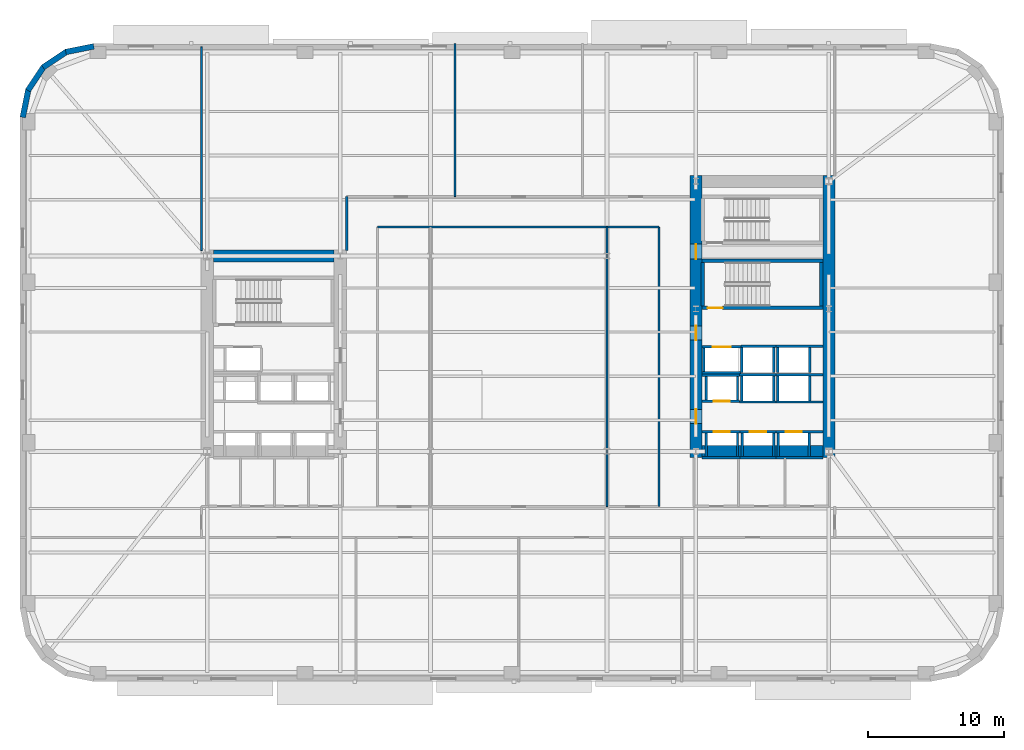
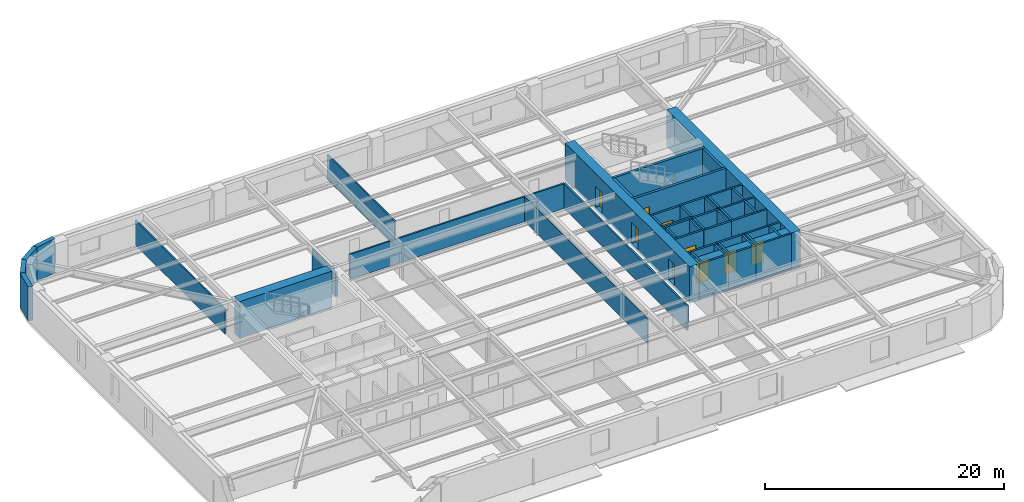
# One storey, part 6 of 15: 51 walls, 9 doors, 9 openings.
"""IFC4 building model written with IfcOpenShell, lengths in metres."""

from ifc_helpers import new_model, si_unit, direction, frame, frame_2d, origin, place, context, subcontext, project, spatial, rectangle, extrude, material, layer, layer_set, type_object, element, fill, save


model = new_model("IFC4")

# Units and contexts
model_context = context("Model", 3, precision=1e-05, world=origin(), true_north=direction((0.0, 1.0)))
body_context = subcontext(model_context, "Body", "Model", "MODEL_VIEW")
ifc_project = project(units=[si_unit("LENGTHUNIT", "METRE"), si_unit("AREAUNIT", "SQUARE_METRE"), si_unit("VOLUMEUNIT", "CUBIC_METRE"), si_unit("PLANEANGLEUNIT", "RADIAN"), si_unit("MASSUNIT", "GRAM", prefix="KILO")], contexts=[model_context])

# Site, building, storey
site_placement = place(None, origin())
site = spatial("IfcSite", under=ifc_project, at=site_placement, CompositionType="ELEMENT")
building_placement = place(site_placement, origin())
building = spatial("IfcBuilding", under=site, at=building_placement, Name="Kolvaren Arena Tower", CompositionType="ELEMENT")
storey_placement = place(building_placement, frame((0.0, 0.0, 64.5)))
storey = spatial("IfcBuildingStorey", under=building, at=storey_placement, Name="L13", CompositionType="ELEMENT", Elevation=64.5)

# Walls
ifc_material_1 = material(Name="Gypsum board acoustic assembly", Category="gypsum")
ifc_layer_1 = layer(ifc_material_1, 0.159912109375)
ifc_layer_set_1 = layer_set([ifc_layer_1], Name="Gypsum board acoustic assembly")
wall_type_1 = type_object("IfcWallType", Name="CORR-160", PredefinedType="PARTITIONING", material=ifc_layer_set_1)
wall_1_placement = place(storey_placement, frame((24.820068359375, 34.25, 0.0), z_axis=(0.0, 0.0, 1.0), x_axis=(0.0, 1.0, 0.0)))
element("IfcWall", 1, at=wall_1_placement, inside=storey, type_object=wall_type_1, Name="Interior Partition Wall (L13)", PredefinedType="PARTITIONING", context=body_context, shape_type="SweptSolid", body=[
    extrude(rectangle(XDim=3.969970703125, YDim=0.159912109375, at=frame_2d((1.98486328125, 0.0))), origin(), (0.0, 0.0, 1.0), 2.5400390625),
])
wall_2_placement = place(storey_placement, frame((27.080078125, 35.97998046875, 0.0), z_axis=(0.0, 0.0, 1.0), x_axis=(1.0, 0.0, 0.0)))
element("IfcWall", 2, at=wall_2_placement, inside=storey, type_object=wall_type_1, Name="Interior Partition Wall (L13)", PredefinedType="PARTITIONING", context=body_context, shape_type="SweptSolid", body=[
    extrude(rectangle(XDim=20.739990234375, YDim=0.159912109375, at=frame_2d((10.3701171875, 0.0))), origin(), (0.0, 0.0, 1.0), 2.5400390625),
])
wall_3_placement = place(storey_placement, frame((47.820068359375, 15.3798828125, 0.0), z_axis=(0.0, 0.0, 1.0), x_axis=(0.0, 1.0, 0.0)))
element("IfcWall", 3, at=wall_3_placement, inside=storey, type_object=wall_type_1, Name="Interior Partition Wall (L13)", PredefinedType="PARTITIONING", context=body_context, shape_type="SweptSolid", body=[
    extrude(rectangle(XDim=20.60009765625, YDim=0.159912109375, at=frame_2d((10.300048828125, 0.0))), origin(), (0.0, 0.0, 1.0), 2.5400390625),
])
ifc_material_2 = material(Name="Concrete 80 MPa", Category="concrete")
ifc_layer_2 = layer(ifc_material_2, 0.89990234375)
ifc_layer_set_2 = layer_set([ifc_layer_2], Name="Concrete 80 MPa")
wall_type_2 = type_object("IfcWallType", Name="CWALL-900", PredefinedType="SHEAR", material=ifc_layer_set_2)
wall_4_placement = place(storey_placement, frame((15.0, 33.85009765625, -0.27001953125), z_axis=(0.0, 0.0, 1.0), x_axis=(1.0, 0.0, 0.0)))
element("IfcWall", 4, at=wall_4_placement, inside=storey, type_object=wall_type_2, Name="Core Shear Wall WC-NORTH (L13)", PredefinedType="SHEAR", context=body_context, shape_type="SweptSolid", body=[
    extrude(rectangle(XDim=8.89990234375, YDim=0.89990234375, at=frame_2d((4.449951171875, 0.0))), origin(), (0.0, 0.0, 1.0), 3.75),
])

# Wall, openings, doors
wall_5_placement = place(storey_placement, frame((50.550048828125, 19.0, -0.27001953125), z_axis=(0.0, 0.0, 1.0), x_axis=(0.0, 1.0, 0.0)))
wall_5 = element("IfcWall", 5, at=wall_5_placement, inside=storey, type_object=wall_type_2, Name="Core Shear Wall EC-WEST (L13)", PredefinedType="SHEAR", context=body_context, shape_type="SweptSolid", body=[
    extrude(rectangle(XDim=20.800048828125, YDim=0.89990234375, at=frame_2d((10.39990234375, 0.0))), origin(), (0.0, 0.0, 1.0), 3.75),
])
opening_1_placement = place(wall_5_placement, frame((2.5, 0.0, 0.27001953125)))
opening_1 = element("IfcOpeningElement", 6, at=opening_1_placement, cuts=wall_5, Name="Opening D04", PredefinedType="OPENING", context=body_context, shape_type="SweptSolid", body=[
    extrude(rectangle(XDim=1.050048828125, YDim=2.14990234375, at=frame_2d((0.52490234375, 1.074951171875))), frame((0.0, 0.4599609375, 0.0), z_axis=(0.0, -1.0, 0.0), x_axis=(1.0, 0.0, 0.0)), (0.0, 0.0, 1.0), 0.919921875),
])
opening_2_placement = place(wall_5_placement, frame((8.64990234375, 0.0, 0.27001953125)))
opening_2 = element("IfcOpeningElement", 7, at=opening_2_placement, cuts=wall_5, Name="Opening D04", PredefinedType="OPENING", context=body_context, shape_type="SweptSolid", body=[
    extrude(rectangle(XDim=1.050048828125, YDim=2.14990234375, at=frame_2d((0.52490234375, 1.074951171875))), frame((0.0, 0.4599609375, 0.0), z_axis=(0.0, -1.0, 0.0), x_axis=(1.0, 0.0, 0.0)), (0.0, 0.0, 1.0), 0.919921875),
])
opening_3_placement = place(wall_5_placement, frame((14.6201171875, 0.0, 0.27001953125)))
opening_3 = element("IfcOpeningElement", 8, at=opening_3_placement, cuts=wall_5, Name="Opening D03", PredefinedType="OPENING", context=body_context, shape_type="SweptSolid", body=[
    extrude(rectangle(XDim=1.10009765625, YDim=2.14990234375, at=frame_2d((0.550048828125, 1.074951171875))), frame((0.0, 0.4599609375, 0.0), z_axis=(0.0, -1.0, 0.0), x_axis=(1.0, 0.0, 0.0)), (0.0, 0.0, 1.0), 0.919921875),
])
ifc_material_3 = material(Name="Fire-rated steel lobby door", Category="steel")
door_type_1 = type_object("IfcDoorType", Name="DOOR-FF-105", OperationType="NOTDEFINED", PredefinedType="DOOR", material=ifc_material_3)
door_1_placement = place(opening_1_placement, origin())
door_1 = element("IfcDoor", 9, at=door_1_placement, inside=storey, type_object=door_type_1, Name="East Lift Lobby Fire Door (L13)", OperationType="SINGLE_SWING_RIGHT", OverallHeight=2.14990234375, OverallWidth=1.050048828125, PredefinedType="DOOR", context=body_context, shape_type="SweptSolid", body=[
    extrude(rectangle(XDim=1.050048828125, YDim=2.14990234375, at=frame_2d((0.52490234375, 1.074951171875))), frame((0.0, 0.02490234375, 0.0), z_axis=(0.0, -1.0, 0.0), x_axis=(1.0, 0.0, 0.0)), (0.0, 0.0, 1.0), 0.050048828125),
])
fill(opening_1, door_1)
door_2_placement = place(opening_2_placement, origin())
door_2 = element("IfcDoor", 10, at=door_2_placement, inside=storey, type_object=door_type_1, Name="East Firefighter Vestibule Door (L13)", OperationType="SINGLE_SWING_LEFT", OverallHeight=2.14990234375, OverallWidth=1.050048828125, PredefinedType="DOOR", context=body_context, shape_type="SweptSolid", body=[
    extrude(rectangle(XDim=1.050048828125, YDim=2.14990234375, at=frame_2d((0.52490234375, 1.074951171875))), frame((0.0, 0.02490234375, 0.0), z_axis=(0.0, -1.0, 0.0), x_axis=(1.0, 0.0, 0.0)), (0.0, 0.0, 1.0), 0.050048828125),
])
fill(opening_2, door_2)
ifc_material_4 = material(Name="Fire-rated steel exit stair door", Category="steel")
door_type_2 = type_object("IfcDoorType", Name="DOOR-ST-110", OperationType="NOTDEFINED", PredefinedType="DOOR", material=ifc_material_4)
door_3_placement = place(opening_3_placement, origin())
door_3 = element("IfcDoor", 11, at=door_3_placement, inside=storey, type_object=door_type_2, Name="Stair ST-E2 Vestibule Fire Door (L13)", OperationType="SINGLE_SWING_LEFT", OverallHeight=2.14990234375, OverallWidth=1.10009765625, PredefinedType="DOOR", context=body_context, shape_type="SweptSolid", body=[
    extrude(rectangle(XDim=1.10009765625, YDim=2.14990234375, at=frame_2d((0.550048828125, 1.074951171875))), frame((0.0, 0.02490234375, 0.0), z_axis=(0.0, -1.0, 0.0), x_axis=(1.0, 0.0, 0.0)), (0.0, 0.0, 1.0), 0.050048828125),
])
fill(opening_3, door_3)

# Walls
wall_6_placement = place(storey_placement, frame((60.35009765625, 19.0, -0.27001953125), z_axis=(0.0, 0.0, 1.0), x_axis=(0.0, 1.0, 0.0)))
element("IfcWall", 12, at=wall_6_placement, inside=storey, type_object=wall_type_2, Name="Core Shear Wall EC-EAST (L13)", PredefinedType="SHEAR", context=body_context, shape_type="SweptSolid", body=[
    extrude(rectangle(XDim=20.800048828125, YDim=0.89990234375, at=frame_2d((10.39990234375, 0.0))), origin(), (0.0, 0.0, 1.0), 3.75),
])
wall_7_placement = place(storey_placement, frame((51.0, 19.449951171875, -0.27001953125), z_axis=(0.0, 0.0, 1.0), x_axis=(1.0, 0.0, 0.0)))
element("IfcWall", 13, at=wall_7_placement, inside=storey, type_object=wall_type_2, Name="Core Shear Wall EC-SOUTH (L13)", PredefinedType="SHEAR", context=body_context, shape_type="SweptSolid", body=[
    extrude(rectangle(XDim=8.89990234375, YDim=0.89990234375, at=frame_2d((4.449951171875, 0.0))), origin(), (0.0, 0.0, 1.0), 3.75),
])
ifc_material_5 = material(Name="Precast concrete C50/60", Category="concrete")
ifc_layer_3 = layer(ifc_material_5, 0.419921875)
ifc_layer_set_3 = layer_set([ifc_layer_3], Name="Precast concrete C50/60")
wall_type_3 = type_object("IfcWallType", Name="EXT-PIER1", PredefinedType="SOLIDWALL", material=ifc_layer_set_3)
for number, where, z_axis, x_axis, name in (
    (14, (4.12451171875, 48.8828125, 0.0), (0.0, 0.0, 1.0), (0.9807762837, 0.195135546048, 0.0), "Exterior Precast Masonry-Frame Wall (L13)"),
    (15, (2.4482421875, 47.743896484375, 0.0), (0.0, 0.0, 1.0), (0.831515102434, 0.555502146192, 0.0), "Exterior Precast Masonry-Frame Wall (L13)"),
    (16, (1.335693359375, 46.0498046875, 0.0), (0.0, 0.0, 1.0), (0.555502146192, 0.831515102434, 0.0), "Exterior Precast Masonry-Frame Wall (L13)"),
    (17, (0.9560546875, 44.05908203125, 0.0), (0.0, 0.0, 1.0), (0.195135546048, 0.9807762837, 0.0), "Exterior Precast Masonry-Frame Wall (L13)"),
):
    element("IfcWall", number, at=place(storey_placement, frame(where, z_axis=z_axis, x_axis=x_axis)), inside=storey, type_object=wall_type_3, Name=name, PredefinedType="SOLIDWALL", context=body_context, shape_type="SweptSolid", body=[
        extrude(rectangle(XDim=2.10693359375, YDim=0.419921875, at=frame_2d((1.053466796875, 0.0))), origin(), (0.0, 0.0, 1.0), 3.47998046875),
    ])
ifc_material_6 = material(Name="Gypsum board partition assembly", Category="gypsum")
ifc_layer_4 = layer(ifc_material_6, 0.114990234375)
ifc_layer_set_4 = layer_set([ifc_layer_4], Name="Gypsum board partition assembly")
wall_type_4 = type_object("IfcWallType", Name="PART-115", PredefinedType="PARTITIONING", material=ifc_layer_set_4)
wall_8_placement = place(storey_placement, frame((44.0, 15.3798828125, 0.0), z_axis=(0.0, 0.0, 1.0), x_axis=(0.0, 1.0, 0.0)))
element("IfcWall", 18, at=wall_8_placement, inside=storey, type_object=wall_type_4, Name="Interior Partition Wall (L13)", PredefinedType="PARTITIONING", context=body_context, shape_type="SweptSolid", body=[
    extrude(rectangle(XDim=20.60009765625, YDim=0.114990234375, at=frame_2d((10.300048828125, 0.0))), origin(), (0.0, 0.0, 1.0), 2.5400390625),
])
ifc_layer_5 = layer(ifc_material_6, 0.135009765625)
ifc_layer_set_5 = layer_set([ifc_layer_5], Name="Gypsum board partition assembly")
wall_type_5 = type_object("IfcWallType", Name="PART-135", PredefinedType="PARTITIONING", material=ifc_layer_set_5)
wall_9_placement = place(storey_placement, frame((32.800048828125, 38.219970703125, 0.0), z_axis=(0.0, 0.0, 1.0), x_axis=(0.0, 1.0, 0.0)))
element("IfcWall", 19, at=wall_9_placement, inside=storey, type_object=wall_type_5, Name="Interior Partition Wall (L13)", PredefinedType="PARTITIONING", context=body_context, shape_type="SweptSolid", body=[
    extrude(rectangle(XDim=11.280029296875, YDim=0.135009765625, at=frame_2d((5.64013671875, 0.0))), origin(), (0.0, 0.0, 1.0), 2.5400390625),
])
wall_10_placement = place(storey_placement, frame((14.1201171875, 34.25, 0.0), z_axis=(0.0, 0.0, 1.0), x_axis=(0.0, 1.0, 0.0)))
element("IfcWall", 20, at=wall_10_placement, inside=storey, type_object=wall_type_5, Name="Interior Partition Wall (L13)", PredefinedType="PARTITIONING", context=body_context, shape_type="SweptSolid", body=[
    extrude(rectangle(XDim=15.010009765625, YDim=0.135009765625, at=frame_2d((7.5048828125, 0.0))), origin(), (0.0, 0.0, 1.0), 2.5400390625),
])

# Wall, opening, door
ifc_material_7 = material(Name="Concrete 45 MPa", Category="concrete")
ifc_layer_6 = layer(ifc_material_7, 0.25)
ifc_layer_set_6 = layer_set([ifc_layer_6], Name="Concrete 45 MPa")
wall_type_6 = type_object("IfcWallType", Name="SHAFT-250", PredefinedType="SOLIDWALL", material=ifc_layer_set_6)
wall_11_placement = place(storey_placement, frame((59.89990234375, 30.030029296875, 0.0), z_axis=(0.0, 0.0, 1.0), x_axis=(-1.0, 0.0, 0.0)))
wall_11 = element("IfcWall", 21, at=wall_11_placement, inside=storey, type_object=wall_type_6, Name="Core Shaft Wall (L13)", PredefinedType="SOLIDWALL", context=body_context, shape_type="SweptSolid", body=[
    extrude(rectangle(XDim=8.89990234375, YDim=0.239990234375, at=frame_2d((4.449951171875, 0.0))), origin(), (0.0, 0.0, 1.0), 3.47998046875),
])
opening_4_placement = place(wall_11_placement, frame((7.3798828125, 0.0, 0.0)))
opening_4 = element("IfcOpeningElement", 22, at=opening_4_placement, cuts=wall_11, Name="Opening D03", PredefinedType="OPENING", context=body_context, shape_type="SweptSolid", body=[
    extrude(rectangle(XDim=1.10009765625, YDim=2.14990234375, at=frame_2d((0.550048828125, 1.074951171875))), frame((0.0, 0.1298828125, 0.0), z_axis=(0.0, -1.0, 0.0), x_axis=(1.0, 0.0, 0.0)), (0.0, 0.0, 1.0), 0.260009765625),
])
door_4_placement = place(opening_4_placement, origin())
door_4 = element("IfcDoor", 23, at=door_4_placement, inside=storey, type_object=door_type_2, Name="Stair ST-E1 Fire Door (L13)", OperationType="SINGLE_SWING_LEFT", OverallHeight=2.14990234375, OverallWidth=1.10009765625, PredefinedType="DOOR", context=body_context, shape_type="SweptSolid", body=[
    extrude(rectangle(XDim=1.10009765625, YDim=2.14990234375, at=frame_2d((0.550048828125, 1.074951171875))), frame((0.0, 0.02490234375, 0.0), z_axis=(0.0, -1.0, 0.0), x_axis=(1.0, 0.0, 0.0)), (0.0, 0.0, 1.0), 0.050048828125),
])
fill(opening_4, door_4)

# Walls
wall_12_placement = place(storey_placement, frame((51.0, 33.5, 0.0), z_axis=(0.0, 0.0, 1.0), x_axis=(1.0, 0.0, 0.0)))
element("IfcWall", 24, at=wall_12_placement, inside=storey, type_object=wall_type_6, Name="Core Shaft Wall (L13)", PredefinedType="SOLIDWALL", context=body_context, shape_type="SweptSolid", body=[
    extrude(rectangle(XDim=8.89990234375, YDim=0.239990234375, at=frame_2d((4.449951171875, 0.0))), origin(), (0.0, 0.0, 1.0), 3.47998046875),
])
for number, where, z_axis, x_axis, name in (
    (25, (51.06005859375, 30.14990234375, 0.0), (0.0, 0.0, 1.0), (0.0, 1.0, 0.0), "Core Shaft Wall (L13)"),
    (26, (59.780029296875, 30.14990234375, 0.0), (0.0, 0.0, 1.0), (0.0, 1.0, 0.0), "Core Shaft Wall (L13)"),
):
    element("IfcWall", number, at=place(storey_placement, frame(where, z_axis=z_axis, x_axis=x_axis)), inside=storey, type_object=wall_type_6, Name=name, PredefinedType="SOLIDWALL", context=body_context, shape_type="SweptSolid", body=[
        extrude(rectangle(XDim=3.22998046875, YDim=0.239990234375, at=frame_2d((1.614990234375, 0.0))), origin(), (0.0, 0.0, 1.0), 3.47998046875),
    ])

# Wall, opening, door
wall_13_placement = place(storey_placement, frame((51.0, 20.905029296875, 0.0), z_axis=(0.0, 0.0, 1.0), x_axis=(1.0, 0.0, 0.0)))
wall_13 = element("IfcWall", 27, at=wall_13_placement, inside=storey, type_object=wall_type_6, Name="Core Shaft Wall (L13)", PredefinedType="SOLIDWALL", context=body_context, shape_type="SweptSolid", body=[
    extrude(rectangle(XDim=2.7900390625, YDim=0.179931640625, at=frame_2d((1.39501953125, 0.0))), origin(), (0.0, 0.0, 1.0), 3.47998046875),
])
opening_5_placement = place(wall_13_placement, frame((0.860107421875, 0.0, 0.0)))
opening_5 = element("IfcOpeningElement", 28, at=opening_5_placement, cuts=wall_13, Name="Opening LD1", PredefinedType="OPENING", context=body_context, shape_type="SweptSolid", body=[
    extrude(rectangle(XDim=1.199951171875, YDim=2.199951171875, at=frame_2d((0.60009765625, 1.10009765625))), frame((0.0, 0.099853515625, 0.0), z_axis=(0.0, -1.0, 0.0), x_axis=(1.0, 0.0, 0.0)), (0.0, 0.0, 1.0), 0.199951171875),
])
ifc_material_8 = material(Name="Stainless steel passenger lift landing door", Category="steel")
door_type_3 = type_object("IfcDoorType", Name="DOOR-LD-120", OperationType="DOUBLE_DOOR_SLIDING", PredefinedType="DOOR", material=ifc_material_8)
door_5_placement = place(opening_5_placement, origin())
door_5 = element("IfcDoor", 29, at=door_5_placement, inside=storey, type_object=door_type_3, Name="Lift EL-LR1 Landing Door (L13)", OperationType="DOUBLE_DOOR_SLIDING", OverallHeight=2.199951171875, OverallWidth=1.199951171875, PredefinedType="DOOR", context=body_context, shape_type="SweptSolid", body=[
    extrude(rectangle(XDim=1.199951171875, YDim=2.199951171875, at=frame_2d((0.60009765625, 1.10009765625))), frame((0.0, 0.02490234375, 0.0), z_axis=(0.0, -1.0, 0.0), x_axis=(1.0, 0.0, 0.0)), (0.0, 0.0, 1.0), 0.050048828125),
])
fill(opening_5, door_5)

# Walls
wall_14_placement = place(storey_placement, frame((51.0, 18.9951171875, 0.0), z_axis=(0.0, 0.0, 1.0), x_axis=(1.0, 0.0, 0.0)))
element("IfcWall", 30, at=wall_14_placement, inside=storey, type_object=wall_type_6, Name="Core Shaft Wall (L13)", PredefinedType="SOLIDWALL", context=body_context, shape_type="SweptSolid", body=[
    extrude(rectangle(XDim=2.7900390625, YDim=0.179931640625, at=frame_2d((1.39501953125, 0.0))), origin(), (0.0, 0.0, 1.0), 3.47998046875),
])
for number, where, z_axis, x_axis, name in (
    (31, (51.304931640625, 19.0849609375, 0.0), (0.0, 0.0, 1.0), (0.0, 1.0, 0.0), "Core Shaft Wall (L13)"),
    (32, (53.614990234375, 19.0849609375, 0.0), (0.0, 0.0, 1.0), (0.0, 1.0, 0.0), "Core Shaft Wall (L13)"),
):
    element("IfcWall", number, at=place(storey_placement, frame(where, z_axis=z_axis, x_axis=x_axis)), inside=storey, type_object=wall_type_6, Name=name, PredefinedType="SOLIDWALL", context=body_context, shape_type="SweptSolid", body=[
        extrude(rectangle(XDim=1.72998046875, YDim=0.179931640625, at=frame_2d((0.864990234375, 0.0))), origin(), (0.0, 0.0, 1.0), 3.47998046875),
    ])

# Wall, opening, door
wall_15_placement = place(storey_placement, frame((53.7900390625, 20.905029296875, 0.0), z_axis=(0.0, 0.0, 1.0), x_axis=(1.0, 0.0, 0.0)))
wall_15 = element("IfcWall", 33, at=wall_15_placement, inside=storey, type_object=wall_type_6, Name="Core Shaft Wall (L13)", PredefinedType="SOLIDWALL", context=body_context, shape_type="SweptSolid", body=[
    extrude(rectangle(XDim=2.64990234375, YDim=0.179931640625, at=frame_2d((1.324951171875, 0.0))), origin(), (0.0, 0.0, 1.0), 3.47998046875),
])
opening_6_placement = place(wall_15_placement, frame((0.72998046875, 0.0, 0.0)))
opening_6 = element("IfcOpeningElement", 34, at=opening_6_placement, cuts=wall_15, Name="Opening LD1", PredefinedType="OPENING", context=body_context, shape_type="SweptSolid", body=[
    extrude(rectangle(XDim=1.199951171875, YDim=2.199951171875, at=frame_2d((0.60009765625, 1.10009765625))), frame((0.0, 0.099853515625, 0.0), z_axis=(0.0, -1.0, 0.0), x_axis=(1.0, 0.0, 0.0)), (0.0, 0.0, 1.0), 0.199951171875),
])
door_6_placement = place(opening_6_placement, origin())
door_6 = element("IfcDoor", 35, at=door_6_placement, inside=storey, type_object=door_type_3, Name="Lift EL-LR2 Landing Door (L13)", OperationType="DOUBLE_DOOR_SLIDING", OverallHeight=2.199951171875, OverallWidth=1.199951171875, PredefinedType="DOOR", context=body_context, shape_type="SweptSolid", body=[
    extrude(rectangle(XDim=1.199951171875, YDim=2.199951171875, at=frame_2d((0.60009765625, 1.10009765625))), frame((0.0, 0.02490234375, 0.0), z_axis=(0.0, -1.0, 0.0), x_axis=(1.0, 0.0, 0.0)), (0.0, 0.0, 1.0), 0.050048828125),
])
fill(opening_6, door_6)

# Walls
wall_16_placement = place(storey_placement, frame((53.7900390625, 18.9951171875, 0.0), z_axis=(0.0, 0.0, 1.0), x_axis=(1.0, 0.0, 0.0)))
element("IfcWall", 36, at=wall_16_placement, inside=storey, type_object=wall_type_6, Name="Core Shaft Wall (L13)", PredefinedType="SOLIDWALL", context=body_context, shape_type="SweptSolid", body=[
    extrude(rectangle(XDim=2.64990234375, YDim=0.179931640625, at=frame_2d((1.324951171875, 0.0))), origin(), (0.0, 0.0, 1.0), 3.47998046875),
])
for number, where, z_axis, x_axis, name in (
    (37, (53.965087890625, 19.0849609375, 0.0), (0.0, 0.0, 1.0), (0.0, 1.0, 0.0), "Core Shaft Wall (L13)"),
    (38, (56.27490234375, 19.0849609375, 0.0), (0.0, 0.0, 1.0), (0.0, 1.0, 0.0), "Core Shaft Wall (L13)"),
):
    element("IfcWall", number, at=place(storey_placement, frame(where, z_axis=z_axis, x_axis=x_axis)), inside=storey, type_object=wall_type_6, Name=name, PredefinedType="SOLIDWALL", context=body_context, shape_type="SweptSolid", body=[
        extrude(rectangle(XDim=1.72998046875, YDim=0.179931640625, at=frame_2d((0.864990234375, 0.0))), origin(), (0.0, 0.0, 1.0), 3.47998046875),
    ])

# Wall, opening, door
wall_17_placement = place(storey_placement, frame((56.43994140625, 20.905029296875, 0.0), z_axis=(0.0, 0.0, 1.0), x_axis=(1.0, 0.0, 0.0)))
wall_17 = element("IfcWall", 39, at=wall_17_placement, inside=storey, type_object=wall_type_6, Name="Core Shaft Wall (L13)", PredefinedType="SOLIDWALL", context=body_context, shape_type="SweptSolid", body=[
    extrude(rectangle(XDim=3.4599609375, YDim=0.179931640625, at=frame_2d((1.72998046875, 0.0))), origin(), (0.0, 0.0, 1.0), 3.47998046875),
])
opening_7_placement = place(wall_17_placement, frame((0.719970703125, 0.0, 0.0)))
opening_7 = element("IfcOpeningElement", 40, at=opening_7_placement, cuts=wall_17, Name="Opening LD1", PredefinedType="OPENING", context=body_context, shape_type="SweptSolid", body=[
    extrude(rectangle(XDim=1.199951171875, YDim=2.199951171875, at=frame_2d((0.60009765625, 1.10009765625))), frame((0.0, 0.099853515625, 0.0), z_axis=(0.0, -1.0, 0.0), x_axis=(1.0, 0.0, 0.0)), (0.0, 0.0, 1.0), 0.199951171875),
])
door_7_placement = place(opening_7_placement, origin())
door_7 = element("IfcDoor", 41, at=door_7_placement, inside=storey, type_object=door_type_3, Name="Lift EL-LR3 Landing Door (L13)", OperationType="DOUBLE_DOOR_SLIDING", OverallHeight=2.199951171875, OverallWidth=1.199951171875, PredefinedType="DOOR", context=body_context, shape_type="SweptSolid", body=[
    extrude(rectangle(XDim=1.199951171875, YDim=2.199951171875, at=frame_2d((0.60009765625, 1.10009765625))), frame((0.0, 0.02490234375, 0.0), z_axis=(0.0, -1.0, 0.0), x_axis=(1.0, 0.0, 0.0)), (0.0, 0.0, 1.0), 0.050048828125),
])
fill(opening_7, door_7)

# Walls
wall_18_placement = place(storey_placement, frame((56.43994140625, 18.9951171875, 0.0), z_axis=(0.0, 0.0, 1.0), x_axis=(1.0, 0.0, 0.0)))
element("IfcWall", 42, at=wall_18_placement, inside=storey, type_object=wall_type_6, Name="Core Shaft Wall (L13)", PredefinedType="SOLIDWALL", context=body_context, shape_type="SweptSolid", body=[
    extrude(rectangle(XDim=3.4599609375, YDim=0.179931640625, at=frame_2d((1.72998046875, 0.0))), origin(), (0.0, 0.0, 1.0), 3.47998046875),
])
for number, where, z_axis, x_axis, name in (
    (43, (56.60498046875, 19.0849609375, 0.0), (0.0, 0.0, 1.0), (0.0, 1.0, 0.0), "Core Shaft Wall (L13)"),
    (44, (58.9150390625, 19.0849609375, 0.0), (0.0, 0.0, 1.0), (0.0, 1.0, 0.0), "Core Shaft Wall (L13)"),
):
    element("IfcWall", number, at=place(storey_placement, frame(where, z_axis=z_axis, x_axis=x_axis)), inside=storey, type_object=wall_type_6, Name=name, PredefinedType="SOLIDWALL", context=body_context, shape_type="SweptSolid", body=[
        extrude(rectangle(XDim=1.72998046875, YDim=0.179931640625, at=frame_2d((0.864990234375, 0.0))), origin(), (0.0, 0.0, 1.0), 3.47998046875),
    ])
wall_19_placement = place(storey_placement, frame((51.0, 25.054931640625, 0.0), z_axis=(0.0, 0.0, 1.0), x_axis=(1.0, 0.0, 0.0)))
element("IfcWall", 45, at=wall_19_placement, inside=storey, type_object=wall_type_6, Name="Core Shaft Wall (L13)", PredefinedType="SOLIDWALL", context=body_context, shape_type="SweptSolid", body=[
    extrude(rectangle(XDim=2.777587890625, YDim=0.179931640625, at=frame_2d((1.388671875, 0.0))), origin(), (0.0, 0.0, 1.0), 3.47998046875),
])

# Wall, opening, door
wall_20_placement = place(storey_placement, frame((51.0, 23.14501953125, 0.0), z_axis=(0.0, 0.0, 1.0), x_axis=(1.0, 0.0, 0.0)))
wall_20 = element("IfcWall", 46, at=wall_20_placement, inside=storey, type_object=wall_type_6, Name="Core Shaft Wall (L13)", PredefinedType="SOLIDWALL", context=body_context, shape_type="SweptSolid", body=[
    extrude(rectangle(XDim=2.777587890625, YDim=0.179931640625, at=frame_2d((1.388671875, 0.0))), origin(), (0.0, 0.0, 1.0), 3.47998046875),
])
opening_8_placement = place(wall_20_placement, frame((0.860107421875, 0.0, 0.0)))
opening_8 = element("IfcOpeningElement", 47, at=opening_8_placement, cuts=wall_20, Name="Opening LD1", PredefinedType="OPENING", context=body_context, shape_type="SweptSolid", body=[
    extrude(rectangle(XDim=1.199951171875, YDim=2.199951171875, at=frame_2d((0.60009765625, 1.10009765625))), frame((0.0, 0.099853515625, 0.0), z_axis=(0.0, -1.0, 0.0), x_axis=(1.0, 0.0, 0.0)), (0.0, 0.0, 1.0), 0.199951171875),
])
door_8_placement = place(opening_8_placement, origin())
door_8 = element("IfcDoor", 48, at=door_8_placement, inside=storey, type_object=door_type_3, Name="Lift EL-LR4 Landing Door (L13)", OperationType="DOUBLE_DOOR_SLIDING", OverallHeight=2.199951171875, OverallWidth=1.199951171875, PredefinedType="DOOR", context=body_context, shape_type="SweptSolid", body=[
    extrude(rectangle(XDim=1.199951171875, YDim=2.199951171875, at=frame_2d((0.60009765625, 1.10009765625))), frame((0.0, 0.02490234375, 0.0), z_axis=(0.0, -1.0, 0.0), x_axis=(1.0, 0.0, 0.0)), (0.0, 0.0, 1.0), 0.050048828125),
])
fill(opening_8, door_8)

# Walls
for number, where, z_axis, x_axis, name in (
    (49, (51.304931640625, 23.235107421875, 0.0), (0.0, 0.0, 1.0), (0.0, 1.0, 0.0), "Core Shaft Wall (L13)"),
    (50, (53.614990234375, 23.235107421875, 0.0), (0.0, 0.0, 1.0), (0.0, 1.0, 0.0), "Core Shaft Wall (L13)"),
):
    element("IfcWall", number, at=place(storey_placement, frame(where, z_axis=z_axis, x_axis=x_axis)), inside=storey, type_object=wall_type_6, Name=name, PredefinedType="SOLIDWALL", context=body_context, shape_type="SweptSolid", body=[
        extrude(rectangle(XDim=1.72998046875, YDim=0.179931640625, at=frame_2d((0.864990234375, 0.0))), origin(), (0.0, 0.0, 1.0), 3.47998046875),
    ])
for number, where, z_axis, x_axis, name in (
    (51, (53.777587890625, 25.10498046875, 0.0), (0.0, 0.0, 1.0), (1.0, 0.0, 0.0), "Core Shaft Wall (L13)"),
    (52, (53.777587890625, 23.094970703125, 0.0), (0.0, 0.0, 1.0), (1.0, 0.0, 0.0), "Core Shaft Wall (L13)"),
):
    element("IfcWall", number, at=place(storey_placement, frame(where, z_axis=z_axis, x_axis=x_axis)), inside=storey, type_object=wall_type_6, Name=name, PredefinedType="SOLIDWALL", context=body_context, shape_type="SweptSolid", body=[
        extrude(rectangle(XDim=2.662353515625, YDim=0.179931640625, at=frame_2d((1.3310546875, 0.0))), origin(), (0.0, 0.0, 1.0), 3.47998046875),
    ])
for number, where, z_axis, x_axis, name in (
    (53, (53.93994140625, 23.18505859375, 0.0), (0.0, 0.0, 1.0), (0.0, 1.0, 0.0), "Core Shaft Wall (L13)"),
    (54, (56.300048828125, 23.18505859375, 0.0), (0.0, 0.0, 1.0), (0.0, 1.0, 0.0), "Core Shaft Wall (L13)"),
):
    element("IfcWall", number, at=place(storey_placement, frame(where, z_axis=z_axis, x_axis=x_axis)), inside=storey, type_object=wall_type_6, Name=name, PredefinedType="SOLIDWALL", context=body_context, shape_type="SweptSolid", body=[
        extrude(rectangle(XDim=1.829833984375, YDim=0.179931640625, at=frame_2d((0.9150390625, 0.0))), origin(), (0.0, 0.0, 1.0), 3.47998046875),
    ])
for number, where, z_axis, x_axis, name in (
    (55, (56.43994140625, 25.10498046875, 0.0), (0.0, 0.0, 1.0), (1.0, 0.0, 0.0), "Core Shaft Wall (L13)"),
    (56, (56.43994140625, 23.094970703125, 0.0), (0.0, 0.0, 1.0), (1.0, 0.0, 0.0), "Core Shaft Wall (L13)"),
):
    element("IfcWall", number, at=place(storey_placement, frame(where, z_axis=z_axis, x_axis=x_axis)), inside=storey, type_object=wall_type_6, Name=name, PredefinedType="SOLIDWALL", context=body_context, shape_type="SweptSolid", body=[
        extrude(rectangle(XDim=3.4599609375, YDim=0.179931640625, at=frame_2d((1.72998046875, 0.0))), origin(), (0.0, 0.0, 1.0), 3.47998046875),
    ])
for number, where, z_axis, x_axis, name in (
    (57, (56.580078125, 23.18505859375, 0.0), (0.0, 0.0, 1.0), (0.0, 1.0, 0.0), "Core Shaft Wall (L13)"),
    (58, (58.93994140625, 23.18505859375, 0.0), (0.0, 0.0, 1.0), (0.0, 1.0, 0.0), "Core Shaft Wall (L13)"),
):
    element("IfcWall", number, at=place(storey_placement, frame(where, z_axis=z_axis, x_axis=x_axis)), inside=storey, type_object=wall_type_6, Name=name, PredefinedType="SOLIDWALL", context=body_context, shape_type="SweptSolid", body=[
        extrude(rectangle(XDim=1.829833984375, YDim=0.179931640625, at=frame_2d((0.9150390625, 0.0))), origin(), (0.0, 0.0, 1.0), 3.47998046875),
    ])
wall_21_placement = place(storey_placement, frame((53.864990234375, 27.205078125, 0.0), z_axis=(0.0, 0.0, 1.0), x_axis=(1.0, 0.0, 0.0)))
element("IfcWall", 59, at=wall_21_placement, inside=storey, type_object=wall_type_6, Name="Core Shaft Wall (L13)", PredefinedType="SOLIDWALL", context=body_context, shape_type="SweptSolid", body=[
    extrude(rectangle(XDim=2.574951171875, YDim=0.179931640625, at=frame_2d((1.28759765625, 0.0))), origin(), (0.0, 0.0, 1.0), 3.47998046875),
])
for number, where, z_axis, x_axis, name in (
    (60, (53.93994140625, 25.284912109375, 0.0), (0.0, 0.0, 1.0), (0.0, 1.0, 0.0), "Core Shaft Wall (L13)"),
    (61, (56.300048828125, 25.284912109375, 0.0), (0.0, 0.0, 1.0), (0.0, 1.0, 0.0), "Core Shaft Wall (L13)"),
):
    element("IfcWall", number, at=place(storey_placement, frame(where, z_axis=z_axis, x_axis=x_axis)), inside=storey, type_object=wall_type_6, Name=name, PredefinedType="SOLIDWALL", context=body_context, shape_type="SweptSolid", body=[
        extrude(rectangle(XDim=1.830078125, YDim=0.179931640625, at=frame_2d((0.9150390625, 0.0))), origin(), (0.0, 0.0, 1.0), 3.47998046875),
    ])
wall_22_placement = place(storey_placement, frame((56.43994140625, 27.205078125, 0.0), z_axis=(0.0, 0.0, 1.0), x_axis=(1.0, 0.0, 0.0)))
element("IfcWall", 62, at=wall_22_placement, inside=storey, type_object=wall_type_6, Name="Core Shaft Wall (L13)", PredefinedType="SOLIDWALL", context=body_context, shape_type="SweptSolid", body=[
    extrude(rectangle(XDim=3.4599609375, YDim=0.179931640625, at=frame_2d((1.72998046875, 0.0))), origin(), (0.0, 0.0, 1.0), 3.47998046875),
])
for number, where, z_axis, x_axis, name in (
    (63, (56.580078125, 25.284912109375, 0.0), (0.0, 0.0, 1.0), (0.0, 1.0, 0.0), "Core Shaft Wall (L13)"),
    (64, (58.93994140625, 25.284912109375, 0.0), (0.0, 0.0, 1.0), (0.0, 1.0, 0.0), "Core Shaft Wall (L13)"),
):
    element("IfcWall", number, at=place(storey_placement, frame(where, z_axis=z_axis, x_axis=x_axis)), inside=storey, type_object=wall_type_6, Name=name, PredefinedType="SOLIDWALL", context=body_context, shape_type="SweptSolid", body=[
        extrude(rectangle(XDim=1.830078125, YDim=0.179931640625, at=frame_2d((0.9150390625, 0.0))), origin(), (0.0, 0.0, 1.0), 3.47998046875),
    ])

# Wall, opening, door
wall_23_placement = place(storey_placement, frame((51.0, 27.155029296875, 0.0), z_axis=(0.0, 0.0, 1.0), x_axis=(1.0, 0.0, 0.0)))
wall_23 = element("IfcWall", 65, at=wall_23_placement, inside=storey, type_object=wall_type_6, Name="Core Shaft Wall (L13)", PredefinedType="SOLIDWALL", context=body_context, shape_type="SweptSolid", body=[
    extrude(rectangle(XDim=2.864990234375, YDim=0.179931640625, at=frame_2d((1.4326171875, 0.0))), origin(), (0.0, 0.0, 1.0), 3.47998046875),
])
opening_9_placement = place(wall_23_placement, frame((0.784912109375, 0.0, 0.0)))
opening_9 = element("IfcOpeningElement", 66, at=opening_9_placement, cuts=wall_23, Name="Opening LD2", PredefinedType="OPENING", context=body_context, shape_type="SweptSolid", body=[
    extrude(rectangle(XDim=1.35009765625, YDim=2.300048828125, at=frame_2d((0.675048828125, 1.14990234375))), frame((0.0, 0.099853515625, 0.0), z_axis=(0.0, -1.0, 0.0), x_axis=(1.0, 0.0, 0.0)), (0.0, 0.0, 1.0), 0.199951171875),
])
ifc_material_9 = material(Name="Stainless steel firefighter lift landing door", Category="steel")
door_type_4 = type_object("IfcDoorType", Name="DOOR-LD-135", OperationType="DOUBLE_DOOR_SLIDING", PredefinedType="DOOR", material=ifc_material_9)
door_9_placement = place(opening_9_placement, origin())
door_9 = element("IfcDoor", 67, at=door_9_placement, inside=storey, type_object=door_type_4, Name="Firefighter Lift FF-E1 Landing Door (L13)", OperationType="DOUBLE_DOOR_SLIDING", OverallHeight=2.300048828125, OverallWidth=1.35009765625, PredefinedType="DOOR", context=body_context, shape_type="SweptSolid", body=[
    extrude(rectangle(XDim=1.35009765625, YDim=2.300048828125, at=frame_2d((0.675048828125, 1.14990234375))), frame((0.0, 0.02490234375, 0.0), z_axis=(0.0, -1.0, 0.0), x_axis=(1.0, 0.0, 0.0)), (0.0, 0.0, 1.0), 0.050048828125),
])
fill(opening_9, door_9)

# Walls
wall_24_placement = place(storey_placement, frame((51.0, 25.2451171875, 0.0), z_axis=(0.0, 0.0, 1.0), x_axis=(1.0, 0.0, 0.0)))
element("IfcWall", 68, at=wall_24_placement, inside=storey, type_object=wall_type_6, Name="Core Shaft Wall (L13)", PredefinedType="SOLIDWALL", context=body_context, shape_type="SweptSolid", body=[
    extrude(rectangle(XDim=2.864990234375, YDim=0.179931640625, at=frame_2d((1.4326171875, 0.0))), origin(), (0.0, 0.0, 1.0), 3.47998046875),
])
wall_25_placement = place(storey_placement, frame((51.1298828125, 25.3349609375, 0.0), z_axis=(0.0, 0.0, 1.0), x_axis=(0.0, 1.0, 0.0)))
element("IfcWall", 69, at=wall_25_placement, inside=storey, type_object=wall_type_6, Name="Core Shaft Wall (L13)", PredefinedType="SOLIDWALL", context=body_context, shape_type="SweptSolid", body=[
    extrude(rectangle(XDim=1.72998046875, YDim=0.179931640625, at=frame_2d((0.864990234375, 0.0))), origin(), (0.0, 0.0, 1.0), 3.47998046875),
])

save(model, "model.ifc")
